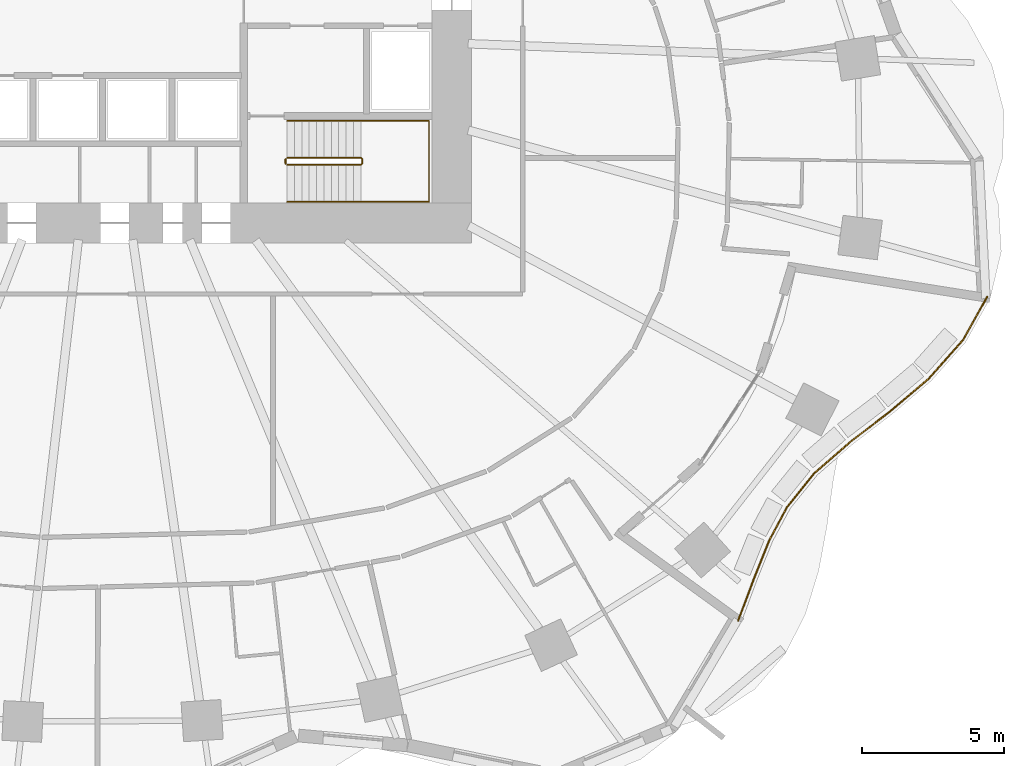
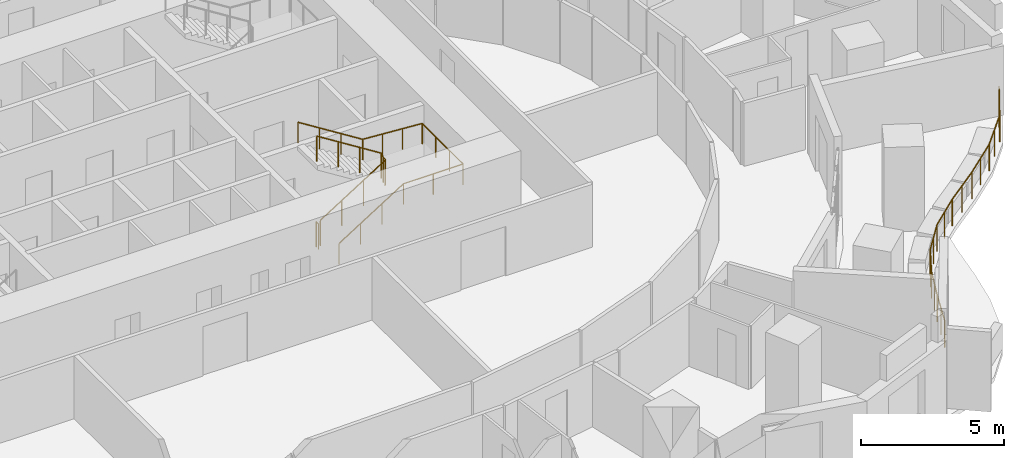
# One storey, part 13 of 14: 4 railings.
"""IFC4 building model written with IfcOpenShell, lengths in metres."""

from ifc_helpers import new_model, si_unit, direction, frame, origin, origin_2d, place, context, subcontext, project, spatial, circle, extrude, material, type_object, element, save


model = new_model("IFC4")

# Units and contexts
model_context = context("Model", 3, precision=1e-05, world=origin(), true_north=direction((0.0, 1.0)))
body_context = subcontext(model_context, "Body", "Model", "MODEL_VIEW")
ifc_project = project(units=[si_unit("LENGTHUNIT", "METRE"), si_unit("AREAUNIT", "SQUARE_METRE"), si_unit("VOLUMEUNIT", "CUBIC_METRE"), si_unit("PLANEANGLEUNIT", "RADIAN"), si_unit("MASSUNIT", "GRAM", prefix="KILO")], contexts=[model_context])

# Site, building, storey
site_placement = place(None, origin())
site = spatial("IfcSite", under=ifc_project, at=site_placement, CompositionType="ELEMENT")
building_placement = place(site_placement, origin())
building = spatial("IfcBuilding", under=site, at=building_placement, Name="Rubra Terraces Tower", CompositionType="ELEMENT")
storey_placement = place(building_placement, frame((0.0, 0.0, 62.699951171875)))
storey = spatial("IfcBuildingStorey", under=building, at=storey_placement, Name="L13", CompositionType="ELEMENT", Elevation=62.699951171875)

# Railings
ifc_material_1 = material(Name="Stainless steel", Category="steel")
railing_type_1 = type_object("IfcRailingType", Name="Core stair guard 1100", PredefinedType="GUARDRAIL", material=ifc_material_1)
railing_1_placement = place(storey_placement, frame((6.5, -0.25, 0.16357421875)))
element("IfcRailing", 1, at=railing_1_placement, inside=storey, type_object=railing_type_1, Name="L13 stair S4 guard 1", PredefinedType="GUARDRAIL", context=body_context, shape_type="SweptSolid", body=[
    extrude(circle(Radius=0.02392578125, at=origin_2d()), frame((0.0, 0.0, 1.076171875), z_axis=(0.846324394277, 0.0, 0.532667832379), x_axis=(0.0, 1.0, 0.0)), (0.0, 0.0, 1.0), 3.072265625),
    extrude(circle(Radius=0.02392578125, at=origin_2d()), frame((2.60009765625, 0.0, 2.71240234375), z_axis=(0.705375805398, 0.708833529934, 0.0), x_axis=(-0.708833529934, 0.705375805398, 0.0)), (0.0, 0.0, 1.0), 0.070556640625),
    extrude(circle(Radius=0.02392578125, at=origin_2d()), frame((2.64990234375, 0.050048828125, 2.71240234375), z_axis=(0.0, 1.0, 0.0), x_axis=(-1.0, 0.0, 0.0)), (0.0, 0.0, 1.0), 0.14990234375),
    extrude(circle(Radius=0.02392578125, at=origin_2d()), frame((2.64990234375, 0.199951171875, 2.71240234375), z_axis=(-0.279546231943, 0.280916556609, 0.91811752648), x_axis=(-0.708833529934, -0.705375805398, 0.0)), (0.0, 0.0, 1.0), 0.17822265625),
    extrude(circle(Radius=0.02392578125, at=origin_2d()), frame((2.60009765625, 0.25, 2.8759765625), z_axis=(-0.846324394277, 0.0, 0.532667832379), x_axis=(0.0, -1.0, 0.0)), (0.0, 0.0, 1.0), 3.072265625),
    extrude(circle(Radius=0.02099609375, at=origin_2d()), origin(), (0.0, 0.0, 1.0), 1.052001953125),
    extrude(circle(Radius=0.02099609375, at=origin_2d()), frame((0.86669921875, 0.0, 0.54541015625)), (0.0, 0.0, 1.0), 1.052001953125),
    extrude(circle(Radius=0.02099609375, at=origin_2d()), frame((1.7333984375, 0.0, 1.091064453125)), (0.0, 0.0, 1.0), 1.052001953125),
    extrude(circle(Radius=0.02099609375, at=origin_2d()), frame((2.60009765625, 0.0, 1.636474609375)), (0.0, 0.0, 1.0), 1.052001953125),
    extrude(circle(Radius=0.02099609375, at=origin_2d()), frame((2.64990234375, 0.050048828125, 1.636474609375)), (0.0, 0.0, 1.0), 1.052001953125),
    extrude(circle(Radius=0.02099609375, at=origin_2d()), frame((2.64990234375, 0.199951171875, 1.636474609375)), (0.0, 0.0, 1.0), 1.052001953125),
    extrude(circle(Radius=0.02099609375, at=origin_2d()), frame((2.60009765625, 0.25, 1.800048828125)), (0.0, 0.0, 1.0), 1.052001953125),
    extrude(circle(Radius=0.02099609375, at=origin_2d()), frame((1.7333984375, 0.25, 2.345458984375)), (0.0, 0.0, 1.0), 1.052001953125),
    extrude(circle(Radius=0.02099609375, at=origin_2d()), frame((0.86669921875, 0.25, 2.89111328125)), (0.0, 0.0, 1.0), 1.052001953125),
    extrude(circle(Radius=0.02099609375, at=origin_2d()), frame((0.0, 0.25, 3.4365234375)), (0.0, 0.0, 1.0), 1.052001953125),
])
railing_2_placement = place(storey_placement, frame((6.449951171875, -0.199951171875, 0.0)))
element("IfcRailing", 2, at=railing_2_placement, inside=storey, type_object=railing_type_1, Name="L13 stair S4 guard 2", PredefinedType="GUARDRAIL", context=body_context, shape_type="SweptSolid", body=[
    extrude(circle(Radius=0.02392578125, at=origin_2d()), frame((0.0, 0.0, 1.076171875), z_axis=(0.0, 1.0, 0.0), x_axis=(-1.0, 0.0, 0.0)), (0.0, 0.0, 1.0), 0.14990234375),
    extrude(circle(Radius=0.02099609375, at=origin_2d()), origin(), (0.0, 0.0, 1.0), 1.052001953125),
    extrude(circle(Radius=0.02099609375, at=origin_2d()), frame((0.0, 0.14990234375, 0.0)), (0.0, 0.0, 1.0), 1.052001953125),
])
railing_type_2 = type_object("IfcRailingType", Name="Core stair handrail 900", PredefinedType="HANDRAIL", material=ifc_material_1)
railing_3_placement = place(storey_placement, frame((6.5, -1.550048828125, 0.16357421875)))
element("IfcRailing", 3, at=railing_3_placement, inside=storey, type_object=railing_type_2, Name="L13 stair S4 handrail 1", PredefinedType="HANDRAIL", context=body_context, shape_type="SweptSolid", body=[
    extrude(circle(Radius=0.02392578125, at=origin_2d()), frame((0.0, 0.0, 0.8759765625), z_axis=(0.846324394277, 0.0, 0.532667832379), x_axis=(0.0, 1.0, 0.0)), (0.0, 0.0, 1.0), 3.072265625),
    extrude(circle(Radius=0.02392578125, at=origin_2d()), frame((2.60009765625, 0.0, 2.51220703125), z_axis=(1.0, 0.0, 0.0), x_axis=(0.0, 1.0, 0.0)), (0.0, 0.0, 1.0), 2.39990234375),
    extrude(circle(Radius=0.02392578125, at=origin_2d()), frame((5.0, 0.0, 2.51220703125), z_axis=(0.0, 1.0, 0.0), x_axis=(-1.0, 0.0, 0.0)), (0.0, 0.0, 1.0), 2.85009765625),
    extrude(circle(Radius=0.02392578125, at=origin_2d()), frame((5.0, 2.85009765625, 2.51220703125), z_axis=(-0.997685257876, 0.0, 0.068000928055), x_axis=(0.0, -1.0, 0.0)), (0.0, 0.0, 1.0), 2.405517578125),
    extrude(circle(Radius=0.02392578125, at=origin_2d()), frame((2.60009765625, 2.85009765625, 2.67578125), z_axis=(-0.846324394277, 0.0, 0.532667832379), x_axis=(0.0, -1.0, 0.0)), (0.0, 0.0, 1.0), 3.072265625),
    extrude(circle(Radius=0.02099609375, at=origin_2d()), origin(), (0.0, 0.0, 1.0), 0.851806640625),
    extrude(circle(Radius=0.02099609375, at=origin_2d()), frame((0.86669921875, 0.0, 0.54541015625)), (0.0, 0.0, 1.0), 0.851806640625),
    extrude(circle(Radius=0.02099609375, at=origin_2d()), frame((1.7333984375, 0.0, 1.091064453125)), (0.0, 0.0, 1.0), 0.851806640625),
    extrude(circle(Radius=0.02099609375, at=origin_2d()), frame((2.60009765625, 0.0, 1.636474609375)), (0.0, 0.0, 1.0), 0.851806640625),
    extrude(circle(Radius=0.02099609375, at=origin_2d()), frame((3.800048828125, 0.0, 1.636474609375)), (0.0, 0.0, 1.0), 0.851806640625),
    extrude(circle(Radius=0.02099609375, at=origin_2d()), frame((5.0, 0.0, 1.636474609375)), (0.0, 0.0, 1.0), 0.851806640625),
    extrude(circle(Radius=0.02099609375, at=origin_2d()), frame((5.0, 0.949951171875, 1.636474609375)), (0.0, 0.0, 1.0), 0.851806640625),
    extrude(circle(Radius=0.02099609375, at=origin_2d()), frame((5.0, 1.900146484375, 1.636474609375)), (0.0, 0.0, 1.0), 0.851806640625),
    extrude(circle(Radius=0.02099609375, at=origin_2d()), frame((5.0, 2.85009765625, 1.636474609375)), (0.0, 0.0, 1.0), 0.851806640625),
    extrude(circle(Radius=0.02099609375, at=origin_2d()), frame((4.199951171875, 2.85009765625, 1.69091796875)), (0.0, 0.0, 1.0), 0.851806640625),
    extrude(circle(Radius=0.02099609375, at=origin_2d()), frame((3.400146484375, 2.85009765625, 1.74560546875)), (0.0, 0.0, 1.0), 0.851806640625),
    extrude(circle(Radius=0.02099609375, at=origin_2d()), frame((2.60009765625, 2.85009765625, 1.800048828125)), (0.0, 0.0, 1.0), 0.851806640625),
    extrude(circle(Radius=0.02099609375, at=origin_2d()), frame((1.7333984375, 2.85009765625, 2.345458984375)), (0.0, 0.0, 1.0), 0.851806640625),
    extrude(circle(Radius=0.02099609375, at=origin_2d()), frame((0.86669921875, 2.85009765625, 2.89111328125)), (0.0, 0.0, 1.0), 0.851806640625),
    extrude(circle(Radius=0.02099609375, at=origin_2d()), frame((0.0, 2.85009765625, 3.4365234375)), (0.0, 0.0, 1.0), 0.851806640625),
])
ifc_material_2 = material(Name="Steel, powder-coated dark grey", Category="steel")
railing_type_3 = type_object("IfcRailingType", Name="Terrace guard 1150", PredefinedType="GUARDRAIL", material=ifc_material_2)
railing_4_placement = place(storey_placement, frame((22.3876953125, -16.304931640625, 0.0)))
element("IfcRailing", 4, at=railing_4_placement, inside=storey, type_object=railing_type_3, Name="Terrace guard L13", PredefinedType="GUARDRAIL", context=body_context, shape_type="SweptSolid", body=[
    extrude(circle(Radius=0.02392578125, at=origin_2d()), frame((0.0, 0.0, 1.1259765625), z_axis=(0.350477836631, 0.93657102562, 0.0), x_axis=(-0.93657102562, 0.350477836631, 0.0)), (0.0, 0.0, 1.0), 1.574951171875),
    extrude(circle(Radius=0.02392578125, at=origin_2d()), frame((0.552001953125, 1.47509765625, 1.1259765625), z_axis=(0.372545640796, 0.928013871407, 0.0), x_axis=(-0.928013871407, 0.372545640796, 0.0)), (0.0, 0.0, 1.0), 1.45751953125),
    extrude(circle(Radius=0.02392578125, at=origin_2d()), frame((1.094970703125, 2.82763671875, 1.1259765625), z_axis=(0.472838242398, 0.881149247588, 0.0), x_axis=(-0.881149247588, 0.472838242398, 0.0)), (0.0, 0.0, 1.0), 1.350830078125),
    extrude(circle(Radius=0.02392578125, at=origin_2d()), frame((1.733642578125, 4.017822265625, 1.1259765625), z_axis=(0.6282294147, 0.778028150201, 0.0), x_axis=(-0.778028150201, 0.6282294147, 0.0)), (0.0, 0.0, 1.0), 1.5302734375),
    extrude(circle(Radius=0.02392578125, at=origin_2d()), frame((2.695068359375, 5.20849609375, 1.1259765625), z_axis=(0.754021790824, 0.656849403564, 0.0), x_axis=(-0.656849403564, 0.754021790824, 0.0)), (0.0, 0.0, 1.0), 1.630615234375),
    extrude(circle(Radius=0.02392578125, at=origin_2d()), frame((3.924560546875, 6.279541015625, 1.1259765625), z_axis=(0.794551878339, 0.607196271915, 0.0), x_axis=(-0.607196271915, 0.794551878339, 0.0)), (0.0, 0.0, 1.0), 1.78515625),
    extrude(circle(Radius=0.02392578125, at=origin_2d()), frame((5.343017578125, 7.363525390625, 1.1259765625), z_axis=(0.762073608356, 0.647490397957, 0.0), x_axis=(-0.647490397957, 0.762073608356, 0.0)), (0.0, 0.0, 1.0), 1.7939453125),
    extrude(circle(Radius=0.02392578125, at=origin_2d()), frame((6.710205078125, 8.525146484375, 1.1259765625), z_axis=(0.665529374006, 0.746371658315, 0.0), x_axis=(-0.746371658315, 0.665529374006, 0.0)), (0.0, 0.0, 1.0), 1.805908203125),
    extrude(circle(Radius=0.02392578125, at=origin_2d()), frame((7.912109375, 9.873046875, 1.1259765625), z_axis=(0.488590721177, 0.872513098572, 0.0), x_axis=(-0.872513098572, 0.488590721177, 0.0)), (0.0, 0.0, 1.0), 1.763427734375),
    extrude(circle(Radius=0.02099609375, at=origin_2d()), origin(), (0.0, 0.0, 1.0), 1.101806640625),
    extrude(circle(Radius=0.02099609375, at=origin_2d()), frame((0.27587890625, 0.737548828125, 0.0)), (0.0, 0.0, 1.0), 1.101806640625),
    extrude(circle(Radius=0.02099609375, at=origin_2d()), frame((0.552001953125, 1.47509765625, 0.0)), (0.0, 0.0, 1.0), 1.101806640625),
    extrude(circle(Radius=0.02099609375, at=origin_2d()), frame((0.823486328125, 2.1513671875, 0.0)), (0.0, 0.0, 1.0), 1.101806640625),
    extrude(circle(Radius=0.02099609375, at=origin_2d()), frame((1.094970703125, 2.82763671875, 0.0)), (0.0, 0.0, 1.0), 1.101806640625),
    extrude(circle(Radius=0.02099609375, at=origin_2d()), frame((1.414306640625, 3.4228515625, 0.0)), (0.0, 0.0, 1.0), 1.101806640625),
    extrude(circle(Radius=0.02099609375, at=origin_2d()), frame((1.733642578125, 4.017822265625, 0.0)), (0.0, 0.0, 1.0), 1.101806640625),
    extrude(circle(Radius=0.02099609375, at=origin_2d()), frame((2.21435546875, 4.61328125, 0.0)), (0.0, 0.0, 1.0), 1.101806640625),
    extrude(circle(Radius=0.02099609375, at=origin_2d()), frame((2.695068359375, 5.20849609375, 0.0)), (0.0, 0.0, 1.0), 1.101806640625),
    extrude(circle(Radius=0.02099609375, at=origin_2d()), frame((3.309814453125, 5.744140625, 0.0)), (0.0, 0.0, 1.0), 1.101806640625),
    extrude(circle(Radius=0.02099609375, at=origin_2d()), frame((3.924560546875, 6.279541015625, 0.0)), (0.0, 0.0, 1.0), 1.101806640625),
    extrude(circle(Radius=0.02099609375, at=origin_2d()), frame((4.6337890625, 6.821533203125, 0.0)), (0.0, 0.0, 1.0), 1.101806640625),
    extrude(circle(Radius=0.02099609375, at=origin_2d()), frame((5.343017578125, 7.363525390625, 0.0)), (0.0, 0.0, 1.0), 1.101806640625),
    extrude(circle(Radius=0.02099609375, at=origin_2d()), frame((6.026611328125, 7.9443359375, 0.0)), (0.0, 0.0, 1.0), 1.101806640625),
    extrude(circle(Radius=0.02099609375, at=origin_2d()), frame((6.710205078125, 8.525146484375, 0.0)), (0.0, 0.0, 1.0), 1.101806640625),
    extrude(circle(Radius=0.02099609375, at=origin_2d()), frame((7.31103515625, 9.19921875, 0.0)), (0.0, 0.0, 1.0), 1.101806640625),
    extrude(circle(Radius=0.02099609375, at=origin_2d()), frame((7.912109375, 9.873046875, 0.0)), (0.0, 0.0, 1.0), 1.101806640625),
    extrude(circle(Radius=0.02099609375, at=origin_2d()), frame((8.3427734375, 10.642333984375, 0.0)), (0.0, 0.0, 1.0), 1.101806640625),
    extrude(circle(Radius=0.02099609375, at=origin_2d()), frame((8.773681640625, 11.41162109375, 0.0)), (0.0, 0.0, 1.0), 1.101806640625),
])

save(model, "model.ifc")
